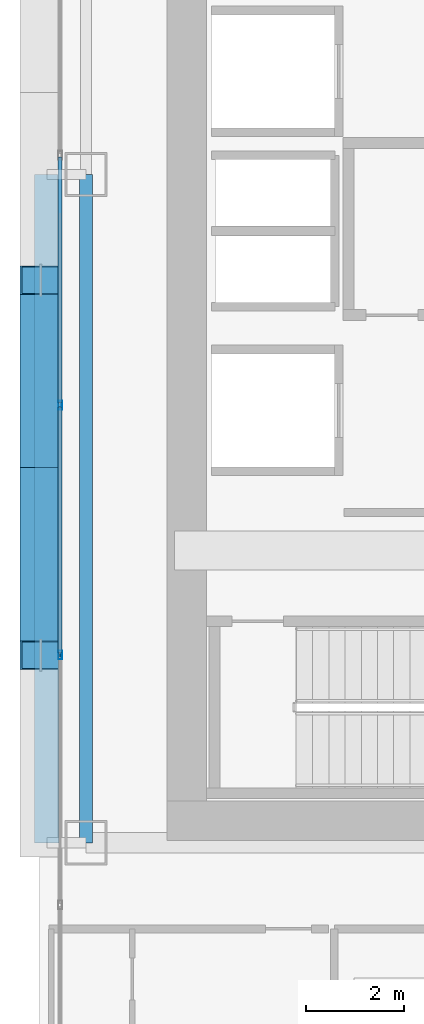
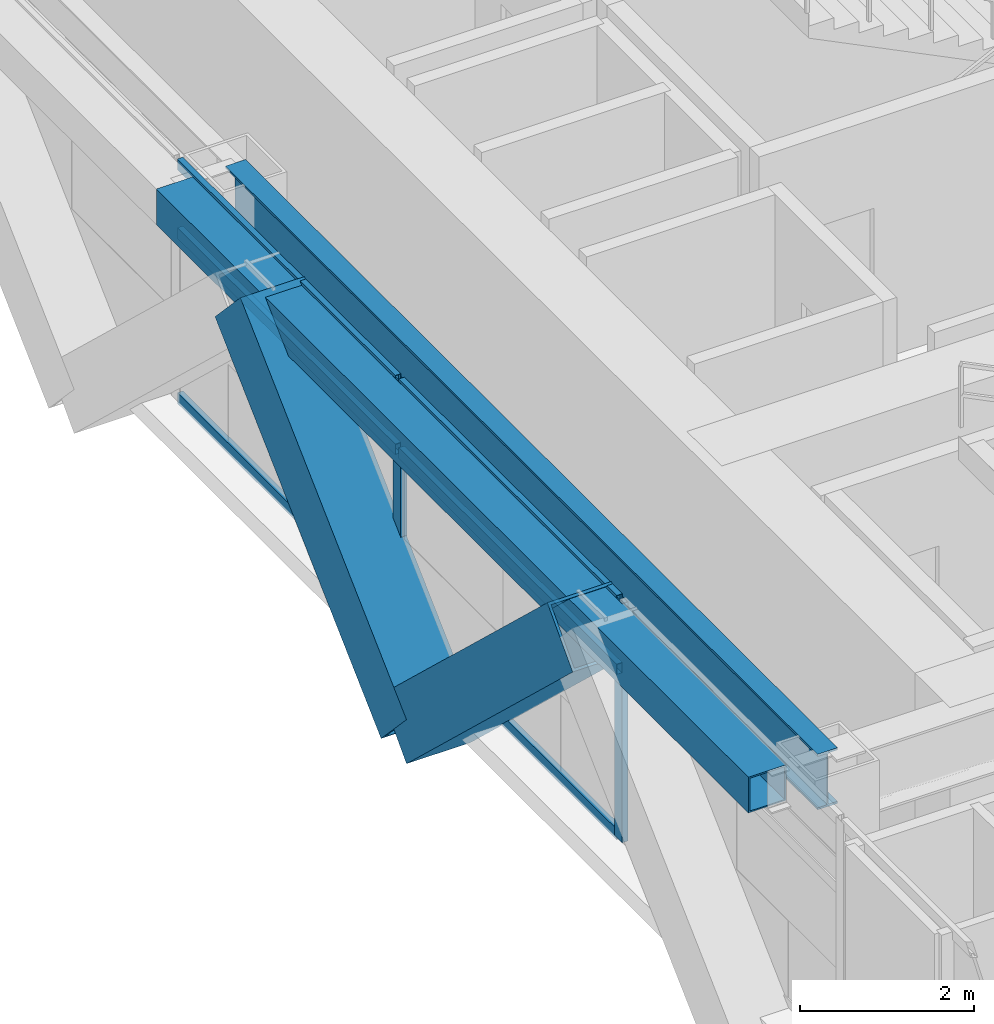
# One storey, part 6 of 35: 10 members, 2 beams, 1 element without a shape of its own.
"""IFC4 building model written with IfcOpenShell, lengths in metres."""

from ifc_helpers import new_model, si_unit, direction, frame, origin, origin_2d, place, context, subcontext, project, spatial, hollow_rectangle, i_section, extrude, source, transform, mapped, material, layer, layer_set, material_profile, profile_set, type_object, element, aggregate, save


model = new_model("IFC4")

# Units and contexts
model_context = context("Model", 3, precision=1e-05, world=origin(), true_north=direction((0.0, 1.0)))
body_context = subcontext(model_context, "Body", "Model", "MODEL_VIEW")
ifc_project = project(units=[si_unit("LENGTHUNIT", "METRE"), si_unit("AREAUNIT", "SQUARE_METRE"), si_unit("VOLUMEUNIT", "CUBIC_METRE"), si_unit("PLANEANGLEUNIT", "RADIAN"), si_unit("MASSUNIT", "GRAM", prefix="KILO")], contexts=[model_context])

# Site, building, storey
site_placement = place(None, origin())
site = spatial("IfcSite", under=ifc_project, at=site_placement, CompositionType="ELEMENT")
building_placement = place(site_placement, origin())
building = spatial("IfcBuilding", under=site, at=building_placement, Name="Ocotamira Hotel", CompositionType="ELEMENT")
storey_placement = place(building_placement, frame((0.0, 0.0, 78.0)))
storey = spatial("IfcBuildingStorey", under=building, at=storey_placement, Name="L19", CompositionType="ELEMENT", Elevation=78.0)

# Beams
ifc_material_1 = material(Name="Steel ASTM A992 Grade 50", Category="steel")
ifc_material_profile_1 = material_profile(ifc_material_1, i_section(OverallWidth=0.26611328125, OverallDepth=0.779052734375, WebThickness=0.0166015625, FlangeThickness=0.030029296875, FilletRadius=0.01806640625, at=origin_2d()), Name="W30X148")
ifc_profile_set_1 = profile_set([ifc_material_profile_1], Name="Steel ASTM A992 Grade 50")
beam_type_1 = type_object("IfcBeamType", Name="BM-GIRD-W30X148", PredefinedType="BEAM", material=ifc_profile_set_1)
shared_shape_1 = source(origin(), body_context, "Body", "SweptSolid", [
    extrude(i_section(OverallWidth=0.26611328125, OverallDepth=0.779052734375, WebThickness=0.0166015625, FlangeThickness=0.030029296875, FilletRadius=0.01806640625, at=origin_2d()), origin(), (0.0, 0.0, 1.0), 13.599853515625),
])
beam_1_placement = place(storey_placement, frame((8.949951171875, 14.550048828125, 2.96044921875), z_axis=(0.0, 1.0, 0.0), x_axis=(-1.0, 0.0, 0.0)))
element("IfcBeam", 1, at=beam_1_placement, inside=storey, type_object=beam_type_1, Name="L19 Beam X8.95 Y14.55-28.15", PredefinedType="BEAM", context=body_context, shape_type="MappedRepresentation", body=[
    mapped(shared_shape_1, transform((0.0, 0.0, 0.0), scale=1.0)),
])
ifc_material_2 = material(Name="Steel ASTM A500 Grade C", Category="steel")
ifc_material_profile_2 = material_profile(ifc_material_2, hollow_rectangle(XDim=0.5, YDim=0.5, WallThickness=0.02001953125, at=origin_2d()), Name="HSS500X500X20")
ifc_profile_set_2 = profile_set([ifc_material_profile_2], Name="Steel ASTM A500 Grade C")
beam_type_2 = type_object("IfcBeamType", Name="BM-SPAN-HSS500", PredefinedType="USERDEFINED", material=ifc_profile_set_2)
shared_shape_2 = source(origin(), body_context, "Body", "SweptSolid", [
    extrude(hollow_rectangle(XDim=0.5, YDim=0.5, WallThickness=0.02001953125, at=origin_2d()), origin(), (0.0, 0.0, 1.0), 13.599853515625),
])
beam_2_placement = place(storey_placement, frame((8.14990234375, 14.550048828125, 3.10009765625), z_axis=(0.0, 1.0, 0.0), x_axis=(-1.0, 0.0, 0.0)))
element("IfcBeam", 2, at=beam_2_placement, inside=storey, type_object=beam_type_2, Name="L19 Edge Spandrel W Y14.55-28.15", ObjectType="SPANDREL", PredefinedType="USERDEFINED", context=body_context, shape_type="MappedRepresentation", body=[
    mapped(shared_shape_2, transform((0.0, 0.0, 0.0), scale=1.0)),
])

# Members
ifc_material_3 = material(Name="Pale-metal coated steel ASTM A913 Grade 65", Category="steel")
ifc_material_profile_3 = material_profile(ifc_material_3, hollow_rectangle(XDim=0.85009765625, YDim=0.85009765625, WallThickness=0.035888671875, at=origin_2d()), Name="BOX850X850X36")
ifc_profile_set_3 = profile_set([ifc_material_profile_3], Name="Pale-metal coated steel ASTM A913 Grade 65")
member_type_1 = type_object("IfcMemberType", Name="MEM-EXO-BOX850", PredefinedType="BRACE", material=ifc_profile_set_3)
shared_shape_3 = source(origin(), body_context, "Body", "SweptSolid", [
    extrude(hollow_rectangle(XDim=0.85009765625, YDim=0.85009765625, WallThickness=0.035888671875, at=origin_2d()), origin(), (0.0, 0.0, 1.0), 5.24658203125),
])
for number, where, z_axis, x_axis, name in (
    (3, (8.030029296875, 22.183349609375, -0.5), (0.0, -0.727442733726, 0.686168397078), (1.0, 0.0, 0.0), "L19 Exoskeleton Diagrid W0.2"),
    (4, (8.030029296875, 22.183349609375, -0.5), (0.0, 0.727442733726, 0.686168397078), (-1.0, 0.0, 0.0), "L19 Exoskeleton Diagrid W1.1"),
):
    element("IfcMember", number, at=place(storey_placement, frame(where, z_axis=z_axis, x_axis=x_axis)), inside=storey, type_object=member_type_1, Name=name, PredefinedType="BRACE", context=body_context, shape_type="MappedRepresentation", body=[
        mapped(shared_shape_3, transform((0.0, 0.0, 0.0), scale=1.0)),
    ])

# Curtain wall, members
ifc_material_4 = material(Name="Anodised pale-metal aluminium and solar glass", Category="aluminium")
ifc_layer = layer(ifc_material_4, 0.179931640625)
ifc_layer_set = layer_set([ifc_layer], Name="Anodised pale-metal aluminium and solar glass")
curtain_wall_type = type_object("IfcCurtainWallType", Name="CW-SYS2-Z1", PredefinedType="NOTDEFINED", material=ifc_layer_set)
curtain_wall_placement = place(storey_placement, origin())
curtain_wall = element("IfcCurtainWall", 5, at=curtain_wall_placement, inside=storey, type_object=curtain_wall_type, Name="L19 Curtain Wall CW-2 CW-L19-W", PredefinedType="NOTDEFINED")
ifc_material_5 = material(Name="Anodised pale-metal aluminium 6063-T6", Category="aluminium")
ifc_material_profile_4 = material_profile(ifc_material_5, hollow_rectangle(XDim=0.074951171875, YDim=0.14990234375, WallThickness=0.006103515625, at=origin_2d()), Name="HSS150X75X6")
ifc_profile_set_4 = profile_set([ifc_material_profile_4], Name="Anodised pale-metal aluminium 6063-T6")
member_type_2 = type_object("IfcMemberType", Name="CWT-150X75", PredefinedType="USERDEFINED", material=ifc_profile_set_4)
shared_shape_4 = source(origin(), body_context, "Body", "SweptSolid", [
    extrude(hollow_rectangle(XDim=0.074951171875, YDim=0.14990234375, WallThickness=0.006103515625, at=origin_2d()), origin(), (0.0, 0.0, 1.0), 5.005859375),
])
member_1_placement = place(storey_placement, frame((8.419921875, 18.411376953125, 0.03759765625), z_axis=(0.0, 1.0, 0.0), x_axis=(-1.0, 0.0, 0.0)))
member_1 = element("IfcMember", 6, at=member_1_placement, type_object=member_type_2, Name="CW-2 transom 3.1", ObjectType="TRANSOM", PredefinedType="USERDEFINED", context=body_context, shape_type="MappedRepresentation", body=[
    mapped(shared_shape_4, transform((0.0, 0.0, 0.0), scale=1.0)),
])
member_2_placement = place(storey_placement, frame((8.419921875, 18.411376953125, 2.35009765625), z_axis=(0.0, 1.0, 0.0), x_axis=(-1.0, 0.0, 0.0)))
member_2 = element("IfcMember", 7, at=member_2_placement, type_object=member_type_2, Name="CW-2 transom 3.2", ObjectType="TRANSOM", PredefinedType="USERDEFINED", context=body_context, shape_type="MappedRepresentation", body=[
    mapped(shared_shape_4, transform((0.0, 0.0, 0.0), scale=1.0)),
])
member_3_placement = place(storey_placement, frame((8.419921875, 18.411376953125, 3.3125), z_axis=(0.0, 1.0, 0.0), x_axis=(-1.0, 0.0, 0.0)))
member_3 = element("IfcMember", 8, at=member_3_placement, type_object=member_type_2, Name="CW-2 transom 3.3", ObjectType="TRANSOM", PredefinedType="USERDEFINED", context=body_context, shape_type="MappedRepresentation", body=[
    mapped(shared_shape_4, transform((0.0, 0.0, 0.0), scale=1.0)),
])
member_4_placement = place(storey_placement, frame((8.419921875, 23.4970703125, 0.03759765625), z_axis=(0.0, 1.0, 0.0), x_axis=(-1.0, 0.0, 0.0)))
member_4 = element("IfcMember", 9, at=member_4_placement, type_object=member_type_2, Name="CW-2 transom 4.1", ObjectType="TRANSOM", PredefinedType="USERDEFINED", context=body_context, shape_type="MappedRepresentation", body=[
    mapped(shared_shape_4, transform((0.0, 0.0, 0.0), scale=1.0)),
])
member_5_placement = place(storey_placement, frame((8.419921875, 23.4970703125, 2.35009765625), z_axis=(0.0, 1.0, 0.0), x_axis=(-1.0, 0.0, 0.0)))
member_5 = element("IfcMember", 10, at=member_5_placement, type_object=member_type_2, Name="CW-2 transom 4.2", ObjectType="TRANSOM", PredefinedType="USERDEFINED", context=body_context, shape_type="MappedRepresentation", body=[
    mapped(shared_shape_4, transform((0.0, 0.0, 0.0), scale=1.0)),
])
member_6_placement = place(storey_placement, frame((8.419921875, 23.4970703125, 3.3125), z_axis=(0.0, 1.0, 0.0), x_axis=(-1.0, 0.0, 0.0)))
member_6 = element("IfcMember", 11, at=member_6_placement, type_object=member_type_2, Name="CW-2 transom 4.3", ObjectType="TRANSOM", PredefinedType="USERDEFINED", context=body_context, shape_type="MappedRepresentation", body=[
    mapped(shared_shape_4, transform((0.0, 0.0, 0.0), scale=1.0)),
])
ifc_material_profile_5 = material_profile(ifc_material_5, hollow_rectangle(XDim=0.080078125, YDim=0.179931640625, WallThickness=0.006103515625, at=origin_2d()), Name="HSS180X80X6")
ifc_profile_set_5 = profile_set([ifc_material_profile_5], Name="Anodised pale-metal aluminium 6063-T6")
member_type_3 = type_object("IfcMemberType", Name="CWM-180X75", PredefinedType="MULLION", material=ifc_profile_set_5)
shared_shape_5 = source(origin(), body_context, "Body", "SweptSolid", [
    extrude(hollow_rectangle(XDim=0.080078125, YDim=0.179931640625, WallThickness=0.006103515625, at=origin_2d()), origin(), (0.0, 0.0, 1.0), 3.35009765625),
])
member_7_placement = place(storey_placement, frame((8.419921875, 18.371337890625, 0.0), z_axis=(0.0, 0.0, 1.0), x_axis=(-1.0, 0.0, 0.0)))
member_7 = element("IfcMember", 12, at=member_7_placement, type_object=member_type_3, Name="CW-2 mullion 3", PredefinedType="MULLION", context=body_context, shape_type="MappedRepresentation", body=[
    mapped(shared_shape_5, transform((0.0, 0.0, 0.0), scale=1.0)),
])
member_8_placement = place(storey_placement, frame((8.419921875, 23.45703125, 0.0), z_axis=(0.0, 0.0, 1.0), x_axis=(-1.0, 0.0, 0.0)))
member_8 = element("IfcMember", 13, at=member_8_placement, type_object=member_type_3, Name="CW-2 mullion 4", PredefinedType="MULLION", context=body_context, shape_type="MappedRepresentation", body=[
    mapped(shared_shape_5, transform((0.0, 0.0, 0.0), scale=1.0)),
])
aggregate(curtain_wall, [member_7, member_8, member_1, member_2, member_3, member_4, member_5, member_6])

save(model, "model.ifc")
